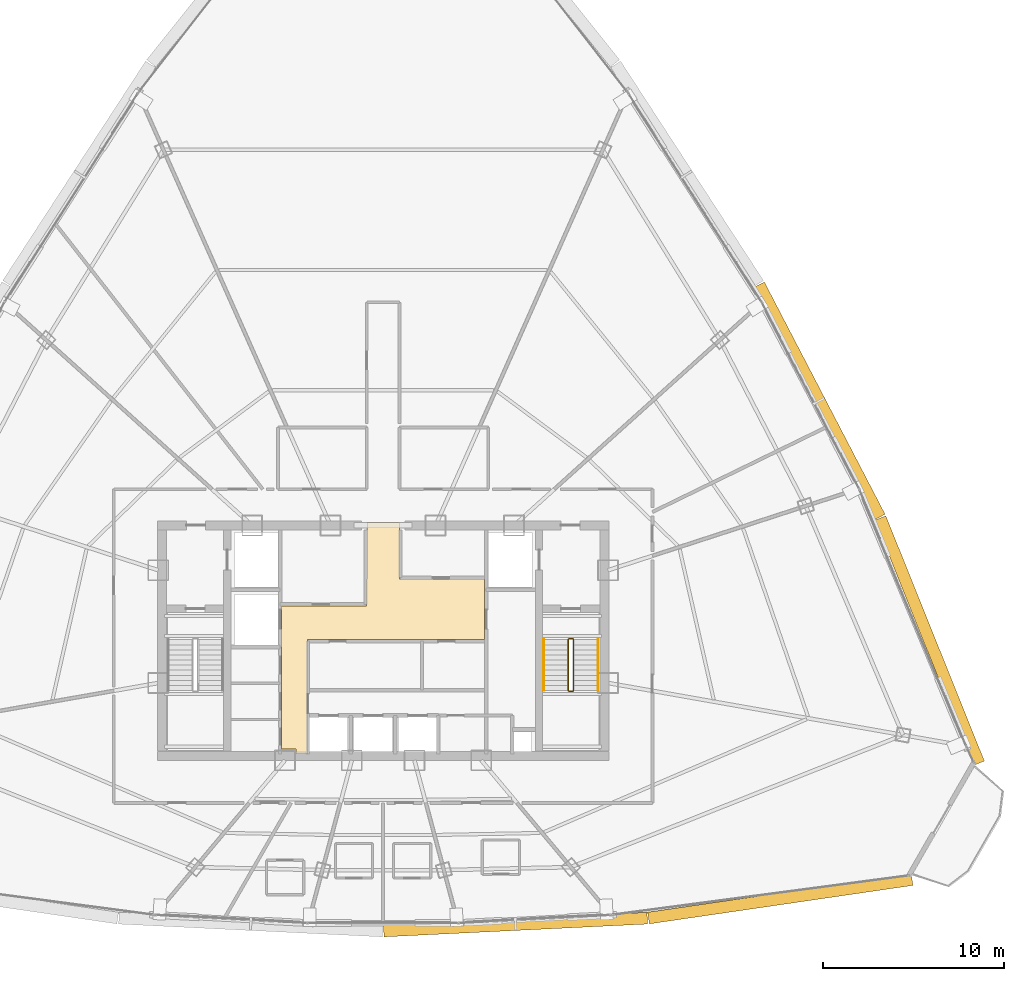
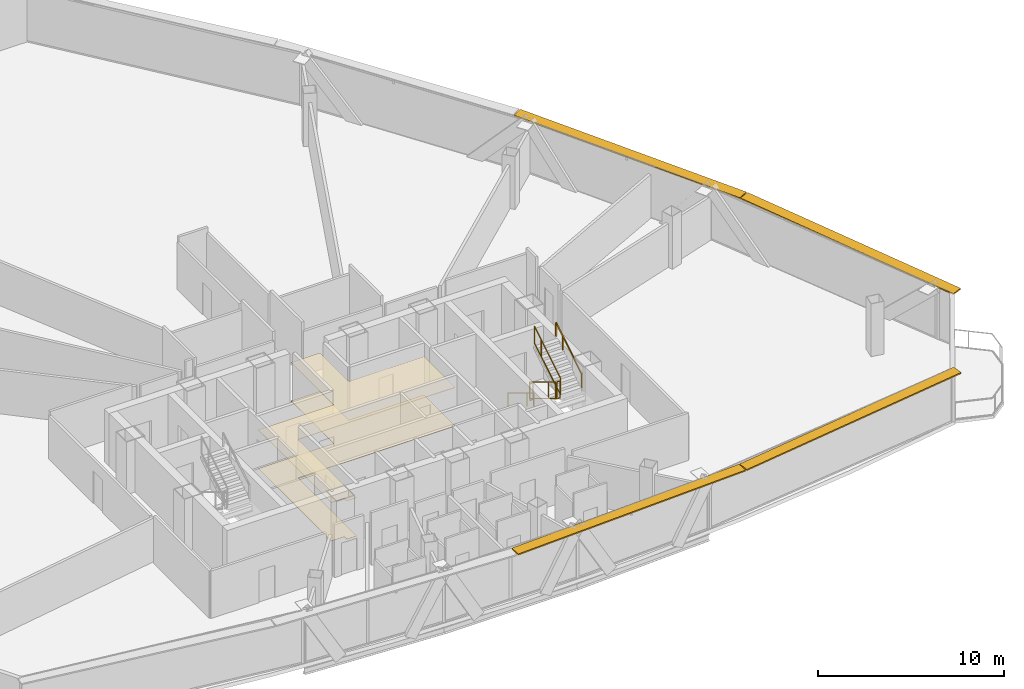
# One storey, part 38 of 39: 6 railings, 4 shading devices, 2 coverings.
"""IFC4 building model written with IfcOpenShell, lengths in metres."""

from ifc_helpers import new_model, si_unit, direction, frame, origin, origin_2d, place, context, subcontext, project, spatial, polyline, rectangle, outline, extrude, source, transform, mapped, material, layer, layer_set, type_object, element, save


model = new_model("IFC4")

# Units and contexts
model_context = context("Model", 3, precision=1e-05, world=origin(), true_north=direction((0.0, 1.0)))
body_context = subcontext(model_context, "Body", "Model", "MODEL_VIEW")
ifc_project = project(units=[si_unit("LENGTHUNIT", "METRE"), si_unit("AREAUNIT", "SQUARE_METRE"), si_unit("VOLUMEUNIT", "CUBIC_METRE"), si_unit("PLANEANGLEUNIT", "RADIAN"), si_unit("MASSUNIT", "GRAM", prefix="KILO"), si_unit("THERMODYNAMICTEMPERATUREUNIT", "KELVIN"), si_unit("POWERUNIT", "WATT")], contexts=[model_context])

# Site, building, storey
site_placement = place(None, origin())
site = spatial("IfcSite", under=ifc_project, at=site_placement, CompositionType="ELEMENT")
building_placement = place(site_placement, origin())
building = spatial("IfcBuilding", under=site, at=building_placement, Name="Yunzhuo Pagoda Commons", CompositionType="ELEMENT")
storey_placement = place(building_placement, frame((0.0, 0.0, 285.02001953125)))
storey = spatial("IfcBuildingStorey", under=building, at=storey_placement, Name="L71", CompositionType="ELEMENT", Elevation=285.02001953125)

# Coverings
ifc_material_1 = material(Name="Micro-perforated metal baffle ceiling")
ifc_layer_1 = layer(ifc_material_1, 0.034912109375)
ifc_layer_set_1 = layer_set([ifc_layer_1], Name="Micro-perforated metal baffle ceiling")
covering_type_1 = type_object("IfcCoveringType", Name="COV-CL3 Ceiling 35", PredefinedType="CEILING", material=ifc_layer_set_1)
covering_1_placement = place(storey_placement, frame((0.0, 0.0, 2.52001953125)))
element("IfcCovering", 1, at=covering_1_placement, inside=storey, type_object=covering_type_1, Name="L71 lift lobby acoustic ceiling", PredefinedType="CEILING", context=body_context, shape_type="SweptSolid", body=[
    extrude(outline(polyline([(42.39990234375, 35.75), (47.080078125, 35.75), (47.080078125, 37.25), (47.10009765625, 37.25), (47.10009765625, 40.35009765625), (48.89990234375, 40.35009765625), (48.89990234375, 37.25), (53.580078125, 37.25), (53.580078125, 33.89990234375), (43.820068359375, 33.89990234375), (43.820068359375, 27.60009765625), (43.207763671875, 27.60009765625), (43.207763671875, 27.85009765625), (43.201904296875, 27.864013671875), (43.187744140625, 27.8701171875), (42.39990234375, 27.8701171875), (42.39990234375, 33.89990234375), (42.39990234375, 35.75)])), origin(), (0.0, 0.0, 1.0), 0.034912109375),
])
ifc_material_2 = material(Name="Resilient acoustic studio flooring")
ifc_layer_2 = layer(ifc_material_2, 0.01806640625)
ifc_layer_set_2 = layer_set([ifc_layer_2], Name="Resilient acoustic studio flooring")
covering_type_2 = type_object("IfcCoveringType", Name="COV-FL3 Flooring 18", PredefinedType="FLOORING", material=ifc_layer_set_2)
covering_2_placement = place(storey_placement, origin())
element("IfcCovering", 2, at=covering_2_placement, inside=storey, type_object=covering_type_2, Name="L71 lift lobby flooring", PredefinedType="FLOORING", context=body_context, shape_type="SweptSolid", body=[
    extrude(outline(polyline([(42.39990234375, 35.75), (47.080078125, 35.75), (47.080078125, 37.25), (47.10009765625, 37.25), (47.10009765625, 40.35009765625), (48.89990234375, 40.35009765625), (48.89990234375, 37.25), (53.580078125, 37.25), (53.580078125, 33.89990234375), (43.820068359375, 33.89990234375), (43.820068359375, 27.60009765625), (43.207763671875, 27.60009765625), (43.207763671875, 27.85009765625), (43.201904296875, 27.864013671875), (43.187744140625, 27.8701171875), (42.39990234375, 27.8701171875), (42.39990234375, 33.89990234375), (42.39990234375, 35.75)])), origin(), (0.0, 0.0, 1.0), 0.01806640625),
])

# Railings
ifc_material_3 = material(Name="Anodized aluminium 6063-T6", Category="aluminium")
railing_type_1 = type_object("IfcRailingType", Name="GR-ST2 Stair Well Guardrail 1160", PredefinedType="GUARDRAIL", material=ifc_material_3)
railing_1_placement = place(storey_placement, frame((58.199951171875, 33.89990234375, 0.16943359375)))
element("IfcRailing", 3, at=railing_1_placement, inside=storey, type_object=railing_type_1, Name="L71 ST2 stair guard 1", PredefinedType="GUARDRAIL", context=body_context, shape_type="SweptSolid", body=[
    extrude(rectangle(XDim=0.048095703125, YDim=0.048095703125, at=origin_2d()), frame((0.0, 0.0, 1.1259765625), z_axis=(0.0, -0.855373106579, 0.518012401918), x_axis=(1.0, 0.0, 0.0)), (0.0, 0.0, 1.0), 3.273193359375),
    extrude(rectangle(XDim=0.048095703125, YDim=0.048095703125, at=origin_2d()), frame((0.0, 0.0, 0.02392578125), z_axis=(0.0, -0.855373106579, 0.518012401918), x_axis=(1.0, 0.0, 0.0)), (0.0, 0.0, 1.0), 3.273193359375),
    extrude(rectangle(XDim=0.0419921875, YDim=0.0419921875, at=origin_2d()), origin(), (0.0, 0.0, 1.0), 1.101806640625),
    extrude(rectangle(XDim=0.0419921875, YDim=0.0419921875, at=origin_2d()), frame((0.0, -2.052978515625, 1.2431640625)), (0.0, 0.0, 1.0), 1.101806640625),
    extrude(rectangle(XDim=0.0419921875, YDim=0.0419921875, at=origin_2d()), frame((0.0, -2.7998046875, 1.695556640625)), (0.0, 0.0, 1.0), 1.101806640625),
])
railing_2_placement = place(storey_placement, frame((58.25, 31.050048828125, 1.864990234375)))
element("IfcRailing", 4, at=railing_2_placement, inside=storey, type_object=railing_type_1, Name="L71 ST2 stair guard 2", PredefinedType="GUARDRAIL", context=body_context, shape_type="SweptSolid", body=[
    extrude(rectangle(XDim=0.048095703125, YDim=0.048095703125, at=origin_2d()), frame((0.0, 0.0, 1.1259765625), z_axis=(1.0, 0.0, 0.0), x_axis=(0.0, 1.0, 0.0)), (0.0, 0.0, 1.0), 0.199951171875),
    extrude(rectangle(XDim=0.048095703125, YDim=0.048095703125, at=origin_2d()), frame((0.0, 0.0, 0.02392578125), z_axis=(1.0, 0.0, 0.0), x_axis=(0.0, 1.0, 0.0)), (0.0, 0.0, 1.0), 0.199951171875),
    extrude(rectangle(XDim=0.0419921875, YDim=0.0419921875, at=origin_2d()), origin(), (0.0, 0.0, 1.0), 1.101806640625),
    extrude(rectangle(XDim=0.0419921875, YDim=0.0419921875, at=origin_2d()), frame((0.199951171875, 0.0, 0.0)), (0.0, 0.0, 1.0), 1.101806640625),
])
railing_3_placement = place(storey_placement, frame((58.5, 31.10009765625, 2.034423828125)))
element("IfcRailing", 5, at=railing_3_placement, inside=storey, type_object=railing_type_1, Name="L71 ST2 stair guard 3", PredefinedType="GUARDRAIL", context=body_context, shape_type="SweptSolid", body=[
    extrude(rectangle(XDim=0.048095703125, YDim=0.048095703125, at=origin_2d()), frame((0.0, 0.0, 1.1259765625), z_axis=(0.0, 0.855373106579, 0.518012401918), x_axis=(-1.0, 0.0, 0.0)), (0.0, 0.0, 1.0), 3.273193359375),
    extrude(rectangle(XDim=0.048095703125, YDim=0.048095703125, at=origin_2d()), frame((0.0, 0.0, 0.02392578125), z_axis=(0.0, 0.855373106579, 0.518012401918), x_axis=(-1.0, 0.0, 0.0)), (0.0, 0.0, 1.0), 3.273193359375),
    extrude(rectangle(XDim=0.0419921875, YDim=0.0419921875, at=origin_2d()), origin(), (0.0, 0.0, 1.0), 1.101806640625),
    extrude(rectangle(XDim=0.0419921875, YDim=0.0419921875, at=origin_2d()), frame((0.0, 2.052978515625, 1.2431640625)), (0.0, 0.0, 1.0), 1.101806640625),
    extrude(rectangle(XDim=0.0419921875, YDim=0.0419921875, at=origin_2d()), frame((0.0, 2.7998046875, 1.695556640625)), (0.0, 0.0, 1.0), 1.101806640625),
])
railing_4_placement = place(storey_placement, frame((58.25, 33.949951171875, 0.0)))
element("IfcRailing", 6, at=railing_4_placement, inside=storey, type_object=railing_type_1, Name="L71 ST2 stair guard 4", PredefinedType="GUARDRAIL", context=body_context, shape_type="SweptSolid", body=[
    extrude(rectangle(XDim=0.048095703125, YDim=0.048095703125, at=origin_2d()), frame((0.0, 0.0, 1.1259765625), z_axis=(1.0, 0.0, 0.0), x_axis=(0.0, 1.0, 0.0)), (0.0, 0.0, 1.0), 0.199951171875),
    extrude(rectangle(XDim=0.048095703125, YDim=0.048095703125, at=origin_2d()), frame((0.0, 0.0, 0.02392578125), z_axis=(1.0, 0.0, 0.0), x_axis=(0.0, 1.0, 0.0)), (0.0, 0.0, 1.0), 0.199951171875),
    extrude(rectangle(XDim=0.0419921875, YDim=0.0419921875, at=origin_2d()), origin(), (0.0, 0.0, 1.0), 1.101806640625),
    extrude(rectangle(XDim=0.0419921875, YDim=0.0419921875, at=origin_2d()), frame((0.199951171875, 0.0, 0.0)), (0.0, 0.0, 1.0), 1.101806640625),
])
railing_type_2 = type_object("IfcRailingType", Name="HR-ST2 Stair Handrail 900", PredefinedType="HANDRAIL", material=ifc_material_3)
railing_5_placement = place(storey_placement, frame((56.85009765625, 33.89990234375, 0.16943359375)))
element("IfcRailing", 7, at=railing_5_placement, inside=storey, type_object=railing_type_2, Name="L71 ST2 stair handrail 1", PredefinedType="HANDRAIL", context=body_context, shape_type="SweptSolid", body=[
    extrude(rectangle(XDim=0.048095703125, YDim=0.048095703125, at=origin_2d()), frame((0.0, 0.0, 0.8759765625), z_axis=(0.0, -0.855373106579, 0.518012401918), x_axis=(1.0, 0.0, 0.0)), (0.0, 0.0, 1.0), 3.273193359375),
    extrude(rectangle(XDim=0.0419921875, YDim=0.0419921875, at=origin_2d()), origin(), (0.0, 0.0, 1.0), 0.851806640625),
    extrude(rectangle(XDim=0.0419921875, YDim=0.0419921875, at=origin_2d()), frame((0.0, -2.052978515625, 1.2431640625)), (0.0, 0.0, 1.0), 0.851806640625),
    extrude(rectangle(XDim=0.0419921875, YDim=0.0419921875, at=origin_2d()), frame((0.0, -2.7998046875, 1.695556640625)), (0.0, 0.0, 1.0), 0.851806640625),
])
railing_6_placement = place(storey_placement, frame((59.85009765625, 31.10009765625, 2.034423828125)))
element("IfcRailing", 8, at=railing_6_placement, inside=storey, type_object=railing_type_2, Name="L71 ST2 stair handrail 2", PredefinedType="HANDRAIL", context=body_context, shape_type="SweptSolid", body=[
    extrude(rectangle(XDim=0.048095703125, YDim=0.048095703125, at=origin_2d()), frame((0.0, 0.0, 0.8759765625), z_axis=(0.0, 0.855373106579, 0.518012401918), x_axis=(-1.0, 0.0, 0.0)), (0.0, 0.0, 1.0), 3.273193359375),
    extrude(rectangle(XDim=0.0419921875, YDim=0.0419921875, at=origin_2d()), origin(), (0.0, 0.0, 1.0), 0.851806640625),
    extrude(rectangle(XDim=0.0419921875, YDim=0.0419921875, at=origin_2d()), frame((0.0, 2.052978515625, 1.2431640625)), (0.0, 0.0, 1.0), 0.851806640625),
    extrude(rectangle(XDim=0.0419921875, YDim=0.0419921875, at=origin_2d()), frame((0.0, 2.7998046875, 1.695556640625)), (0.0, 0.0, 1.0), 0.851806640625),
])

# Shading devices
ifc_layer_3 = layer(ifc_material_3, 0.080078125)
ifc_layer_set_3 = layer_set([ifc_layer_3], Name="Anodized aluminium 6063-T6")
shading_device_type = type_object("IfcShadingDeviceType", Name="SH-SUN1 Pagoda Horizontal Sunshade Eave 650", PredefinedType="USERDEFINED", material=ifc_layer_set_3)
shared_shape_1 = source(origin(), body_context, "Body", "SweptSolid", [
    extrude(rectangle(XDim=14.69140625, YDim=0.64990234375, at=origin_2d()), origin(), (0.0, 0.0, 1.0), 0.080078125),
])
shading_device_1_placement = place(storey_placement, frame((69.89990234375, 19.613037109375, 3.389892578125), z_axis=(0.0, 0.0, 1.0), x_axis=(0.989510666697, 0.144459823108, 0.0)))
element("IfcShadingDevice", 9, at=shading_device_1_placement, inside=storey, type_object=shading_device_type, Name="L71 horizontal pagoda sunshade eave F1.4", ObjectType="SUNSHADE", PredefinedType="USERDEFINED", context=body_context, shape_type="MappedRepresentation", body=[
    mapped(shared_shape_1, transform((0.0, 0.0, 0.0), scale=1.0)),
])
shared_shape_2 = source(origin(), body_context, "Body", "SweptSolid", [
    extrude(rectangle(XDim=14.55419921875, YDim=0.64990234375, at=origin_2d()), origin(), (0.0, 0.0, 1.0), 0.080078125),
])
shading_device_2_placement = place(storey_placement, frame((55.300048828125, 18.192138671875, 3.389892578125), z_axis=(0.0, 0.0, 1.0), x_axis=(0.998818043775, 0.04860571396, 0.0)))
element("IfcShadingDevice", 10, at=shading_device_2_placement, inside=storey, type_object=shading_device_type, Name="L71 horizontal pagoda sunshade eave F1.3", ObjectType="SUNSHADE", PredefinedType="USERDEFINED", context=body_context, shape_type="MappedRepresentation", body=[
    mapped(shared_shape_2, transform((0.0, 0.0, 0.0), scale=1.0)),
])
shared_shape_3 = source(origin(), body_context, "Body", "SweptSolid", [
    extrude(rectangle(XDim=14.5732421875, YDim=0.64990234375, at=origin_2d()), origin(), (0.0, 0.0, 1.0), 0.080078125),
])
shading_device_3_placement = place(storey_placement, frame((78.13330078125, 33.84814453125, 3.389892578125), z_axis=(0.0, 0.0, 1.0), x_axis=(-0.372987782576, 0.927836253899, 0.0)))
element("IfcShadingDevice", 11, at=shading_device_3_placement, inside=storey, type_object=shading_device_type, Name="L71 horizontal pagoda sunshade eave F2.1", ObjectType="SUNSHADE", PredefinedType="USERDEFINED", context=body_context, shape_type="MappedRepresentation", body=[
    mapped(shared_shape_3, transform((0.0, 0.0, 0.0), scale=1.0)),
])
shared_shape_4 = source(origin(), body_context, "Body", "SweptSolid", [
    extrude(rectangle(XDim=14.434814453125, YDim=0.64990234375, at=origin_2d()), origin(), (0.0, 0.0, 1.0), 0.080078125),
])
shading_device_4_placement = place(storey_placement, frame((72.060302734375, 47.0703125, 3.389892578125), z_axis=(0.0, 0.0, 1.0), x_axis=(-0.461206683033, 0.88729273384, 0.0)))
element("IfcShadingDevice", 12, at=shading_device_4_placement, inside=storey, type_object=shading_device_type, Name="L71 horizontal pagoda sunshade eave F2.2", ObjectType="SUNSHADE", PredefinedType="USERDEFINED", context=body_context, shape_type="MappedRepresentation", body=[
    mapped(shared_shape_4, transform((0.0, 0.0, 0.0), scale=1.0)),
])

save(model, "model.ifc")
